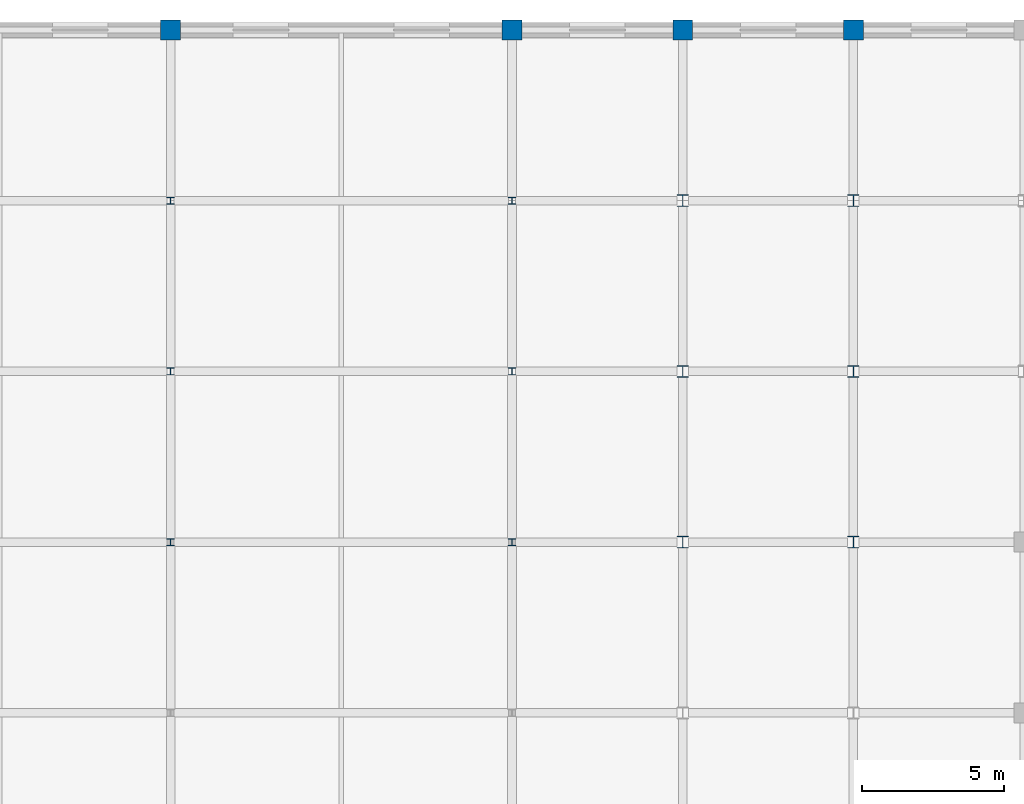
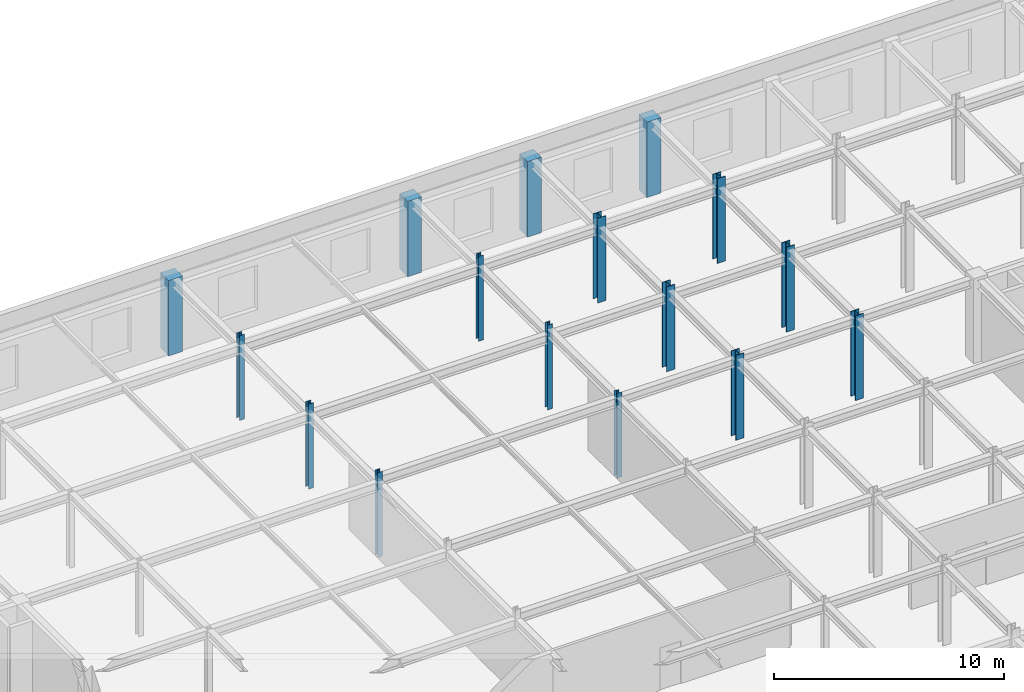
# One storey, part 16 of 111: 16 columns.
"""IFC4 building model written with IfcOpenShell, lengths in metres."""

from ifc_helpers import new_model, si_unit, direction, frame, origin, origin_2d, place, context, subcontext, project, spatial, rectangle, i_section, extrude, material, material_profile, profile_set, type_object, element, save


model = new_model("IFC4")

# Units and contexts
model_context = context("Model", 3, precision=1e-05, world=origin(), true_north=direction((0.0, 1.0)))
body_context = subcontext(model_context, "Body", "Model", "MODEL_VIEW")
ifc_project = project(units=[si_unit("LENGTHUNIT", "METRE"), si_unit("AREAUNIT", "SQUARE_METRE"), si_unit("VOLUMEUNIT", "CUBIC_METRE"), si_unit("PLANEANGLEUNIT", "RADIAN"), si_unit("MASSUNIT", "GRAM", prefix="KILO")], contexts=[model_context])

# Site, building, storey
site_placement = place(None, origin())
site = spatial("IfcSite", under=ifc_project, at=site_placement, CompositionType="ELEMENT")
building_placement = place(site_placement, origin())
building = spatial("IfcBuilding", under=site, at=building_placement, Name="Zlatovratsky Civic Hall", CompositionType="ELEMENT")
storey_placement = place(building_placement, frame((0.0, 0.0, 16.5)))
storey = spatial("IfcBuildingStorey", under=building, at=storey_placement, Name="L04", CompositionType="ELEMENT", Elevation=16.5)

# Columns
ifc_material_1 = material(Name="Concrete C35/45 (B40)", Category="concrete")
ifc_material_profile_1 = material_profile(ifc_material_1, rectangle(XDim=0.699951171875, YDim=0.699951171875, at=origin_2d()), Name="RC 700x700")
ifc_profile_set_1 = profile_set([ifc_material_profile_1], Name="Concrete C35/45 (B40)")
column_type_1 = type_object("IfcColumnType", Name="Col_CorePier_RC700", PredefinedType="COLUMN", material=ifc_profile_set_1)
for number, where, z_axis, x_axis, name in (
    (1, (36.0, 114.0, 0.0), (0.0, 0.0, 1.0), (1.0, 0.0, 0.0), "CL-1894"),
    (2, (48.0, 114.0, 0.0), (0.0, 0.0, 1.0), (1.0, 0.0, 0.0), "CL-1895"),
    (3, (54.0, 114.0, 0.0), (0.0, 0.0, 1.0), (1.0, 0.0, 0.0), "CL-1896"),
    (4, (60.0, 114.0, 0.0), (0.0, 0.0, 1.0), (1.0, 0.0, 0.0), "CL-1897"),
):
    element("IfcColumn", number, at=place(storey_placement, frame(where, z_axis=z_axis, x_axis=x_axis)), inside=storey, type_object=column_type_1, Name=name, PredefinedType="COLUMN", context=body_context, shape_type="SweptSolid", body=[
        extrude(rectangle(XDim=0.699951171875, YDim=0.699951171875, at=origin_2d()), origin(), (0.0, 0.0, 1.0), 4.0),
    ])
ifc_material_2 = material(Name="Steel S355", Category="steel")
ifc_material_profile_2 = material_profile(ifc_material_2, i_section(OverallWidth=0.25, OverallDepth=0.25, WebThickness=0.009033203125, FlangeThickness=0.013916015625, FilletRadius=0.01611328125, at=origin_2d()), Name="25K2")
ifc_profile_set_2 = profile_set([ifc_material_profile_2], Name="Steel S355")
column_type_2 = type_object("IfcColumnType", Name="Col_Steel_25K2", PredefinedType="COLUMN", material=ifc_profile_set_2)
for number, where, z_axis, x_axis, name in (
    (5, (36.0, 96.0, 0.0), (0.0, 0.0, 1.0), (1.0, 0.0, 0.0), "CL-1825"),
    (6, (48.0, 96.0, 0.0), (0.0, 0.0, 1.0), (1.0, 0.0, 0.0), "CL-1826"),
    (7, (36.0, 102.0, 0.0), (0.0, 0.0, 1.0), (1.0, 0.0, 0.0), "CL-1848"),
    (8, (48.0, 102.0, 0.0), (0.0, 0.0, 1.0), (1.0, 0.0, 0.0), "CL-1849"),
    (9, (36.0, 108.0, 0.0), (0.0, 0.0, 1.0), (1.0, 0.0, 0.0), "CL-1871"),
    (10, (48.0, 108.0, 0.0), (0.0, 0.0, 1.0), (1.0, 0.0, 0.0), "CL-1872"),
):
    element("IfcColumn", number, at=place(storey_placement, frame(where, z_axis=z_axis, x_axis=x_axis)), inside=storey, type_object=column_type_2, Name=name, PredefinedType="COLUMN", context=body_context, shape_type="SweptSolid", body=[
        extrude(i_section(OverallWidth=0.25, OverallDepth=0.25, WebThickness=0.009033203125, FlangeThickness=0.013916015625, FilletRadius=0.01611328125, at=origin_2d()), origin(), (0.0, 0.0, 1.0), 4.5),
    ])
ifc_material_profile_3 = material_profile(ifc_material_2, i_section(OverallWidth=0.405029296875, OverallDepth=0.41796875, WebThickness=0.02001953125, FlangeThickness=0.030029296875, FilletRadius=0.02197265625, at=origin_2d()), Name="40K4")
ifc_profile_set_3 = profile_set([ifc_material_profile_3], Name="Steel S355")
column_type_3 = type_object("IfcColumnType", Name="Col_Steel_40K4", PredefinedType="COLUMN", material=ifc_profile_set_3)
for number, where, z_axis, x_axis, name in (
    (11, (54.0, 96.0, 0.0), (0.0, 0.0, 1.0), (1.0, 0.0, 0.0), "CL-1827"),
    (12, (60.0, 96.0, 0.0), (0.0, 0.0, 1.0), (1.0, 0.0, 0.0), "CL-1828"),
    (13, (54.0, 102.0, 0.0), (0.0, 0.0, 1.0), (1.0, 0.0, 0.0), "CL-1850"),
    (14, (60.0, 102.0, 0.0), (0.0, 0.0, 1.0), (1.0, 0.0, 0.0), "CL-1851"),
    (15, (54.0, 108.0, 0.0), (0.0, 0.0, 1.0), (1.0, 0.0, 0.0), "CL-1873"),
    (16, (60.0, 108.0, 0.0), (0.0, 0.0, 1.0), (1.0, 0.0, 0.0), "CL-1874"),
):
    element("IfcColumn", number, at=place(storey_placement, frame(where, z_axis=z_axis, x_axis=x_axis)), inside=storey, type_object=column_type_3, Name=name, PredefinedType="COLUMN", context=body_context, shape_type="SweptSolid", body=[
        extrude(i_section(OverallWidth=0.405029296875, OverallDepth=0.41796875, WebThickness=0.02001953125, FlangeThickness=0.030029296875, FilletRadius=0.02197265625, at=origin_2d()), origin(), (0.0, 0.0, 1.0), 4.5),
    ])

save(model, "model.ifc")
